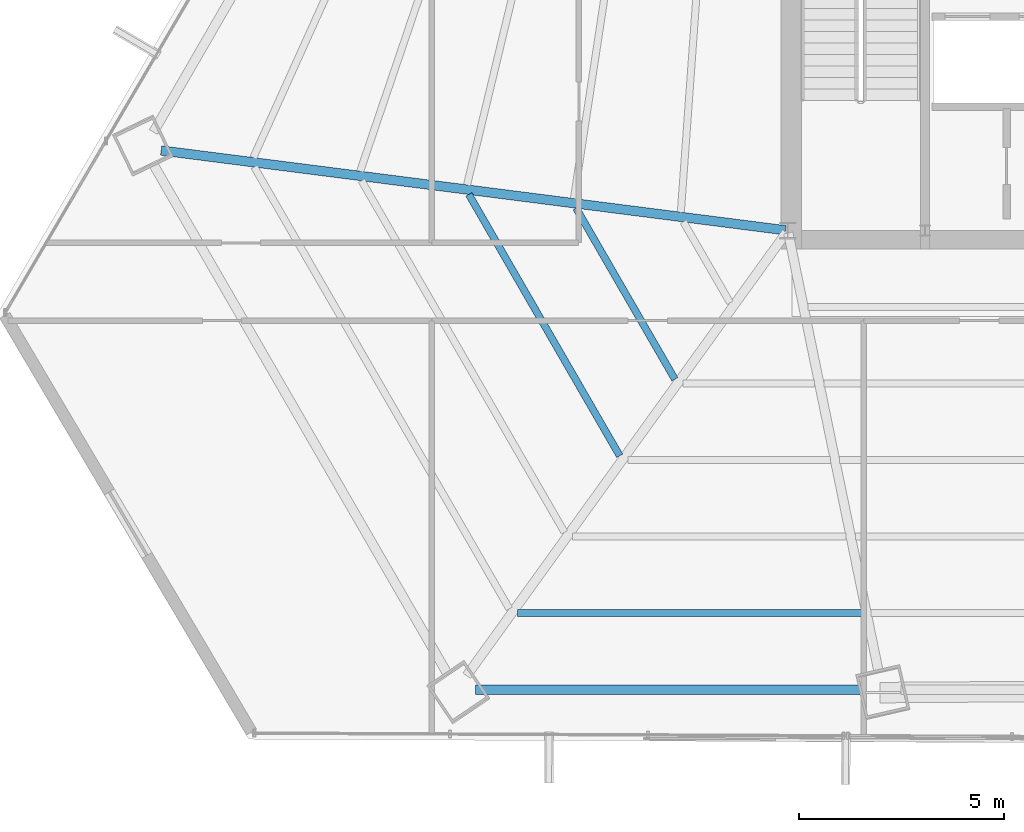
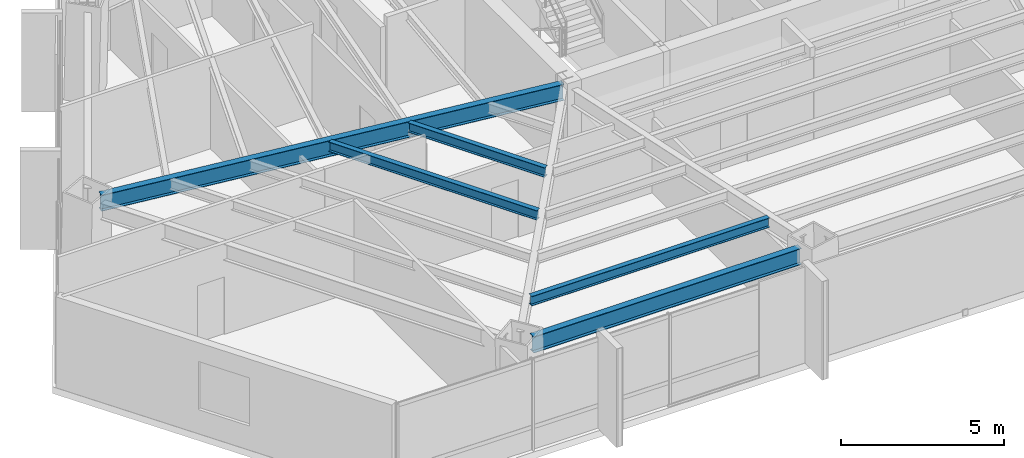
# One storey, part 8 of 35: 5 beams.
"""IFC4 building model written with IfcOpenShell, lengths in metres."""

from ifc_helpers import new_model, si_unit, direction, frame, origin, origin_2d, place, context, subcontext, project, spatial, i_section, extrude, source, transform, mapped, material, material_profile, profile_set, type_object, type_shapes, element, save


model = new_model("IFC4")

# Units and contexts
model_context = context("Model", 3, precision=1e-05, world=origin(), true_north=direction((0.0, 1.0)))
body_context = subcontext(model_context, "Body", "Model", "MODEL_VIEW")
ifc_project = project(units=[si_unit("LENGTHUNIT", "METRE"), si_unit("AREAUNIT", "SQUARE_METRE"), si_unit("VOLUMEUNIT", "CUBIC_METRE"), si_unit("PLANEANGLEUNIT", "RADIAN"), si_unit("MASSUNIT", "GRAM", prefix="KILO")], contexts=[model_context])

# Site, building, storey
site_placement = place(None, origin())
site = spatial("IfcSite", under=ifc_project, at=site_placement, CompositionType="ELEMENT")
building_placement = place(site_placement, origin())
building = spatial("IfcBuilding", under=site, at=building_placement, Name="Caelisora Broadcast Tower", CompositionType="ELEMENT")
storey_placement = place(building_placement, frame((0.0, 0.0, 94.449951171875)))
storey = spatial("IfcBuildingStorey", under=building, at=storey_placement, Name="L24", CompositionType="ELEMENT", Elevation=94.449951171875)

# Beams
ifc_material = material(Name="Steel Grade 350 (AS/NZS 3679.1)", Category="steel")
ifc_material_profile_1 = material_profile(ifc_material, i_section(OverallWidth=0.22900390625, OverallDepth=0.611572265625, WebThickness=0.011962890625, FlangeThickness=0.01953125, at=origin_2d()), Name="Steel Grade 350 (AS/NZS 3679.1)")
ifc_profile_set_1 = profile_set([ifc_material_profile_1], Name="Steel Grade 350 (AS/NZS 3679.1)")
beam_type_1 = type_object("IfcBeamType", Name="PG03", PredefinedType="BEAM", material=ifc_profile_set_1)
shared_shape_1 = source(origin(), body_context, "Body", "SweptSolid", [
    extrude(i_section(OverallWidth=0.22900390625, OverallDepth=0.611572265625, WebThickness=0.011962890625, FlangeThickness=0.01953125, at=origin_2d()), origin(), (0.0, 0.0, 1.0), 9.4677734375),
])
type_shapes(beam_type_1, [shared_shape_1])
beam_1_placement = place(storey_placement, frame((22.878173828125, 6.1962890625, 3.09423828125), z_axis=(1.0, 0.0, 0.0), x_axis=(0.0, 1.0, 0.0)))
element("IfcBeam", 1, at=beam_1_placement, inside=storey, type_object=beam_type_1, Name="L24 beam PG03", PredefinedType="BEAM", context=body_context, shape_type="MappedRepresentation", body=[
    mapped(shared_shape_1, transform((0.0, 0.0, 0.0), scale=1.0)),
])
ifc_material_profile_2 = material_profile(ifc_material, i_section(OverallWidth=0.22802734375, OverallDepth=0.602294921875, WebThickness=0.010498046875, FlangeThickness=0.014892578125, at=origin_2d()), Name="Steel Grade 350 (AS/NZS 3679.1)")
ifc_profile_set_2 = profile_set([ifc_material_profile_2], Name="Steel Grade 350 (AS/NZS 3679.1)")
beam_type_2 = type_object("IfcBeamType", Name="PG04", PredefinedType="BEAM", material=ifc_profile_set_2)
shared_shape_2 = source(origin(), body_context, "Body", "SweptSolid", [
    extrude(i_section(OverallWidth=0.22802734375, OverallDepth=0.602294921875, WebThickness=0.010498046875, FlangeThickness=0.014892578125, at=origin_2d()), origin(), (0.0, 0.0, 1.0), 15.35693359375),
])
type_shapes(beam_type_2, [shared_shape_2])
beam_2_placement = place(storey_placement, frame((30.4404296875, 17.40771484375, 3.098876953125), z_axis=(-0.991934434096, 0.126752035308, 0.0), x_axis=(-0.126752035308, -0.991934434096, 0.0)))
element("IfcBeam", 2, at=beam_2_placement, inside=storey, type_object=beam_type_2, Name="L24 beam PG04", PredefinedType="BEAM", context=body_context, shape_type="MappedRepresentation", body=[
    mapped(shared_shape_2, transform((0.0, 0.0, 0.0), scale=1.0)),
])
ifc_material_profile_3 = material_profile(ifc_material, i_section(OverallWidth=0.172119140625, OverallDepth=0.358642578125, WebThickness=0.008056640625, FlangeThickness=0.012939453125, at=origin_2d()), Name="Steel Grade 350 (AS/NZS 3679.1)")
ifc_profile_set_3 = profile_set([ifc_material_profile_3], Name="Steel Grade 350 (AS/NZS 3679.1)")
beam_type_3 = type_object("IfcBeamType", Name="SB02", PredefinedType="JOIST", material=ifc_profile_set_3)
shared_shape_3 = source(origin(), body_context, "Body", "SweptSolid", [
    extrude(i_section(OverallWidth=0.172119140625, OverallDepth=0.358642578125, WebThickness=0.008056640625, FlangeThickness=0.012939453125, at=origin_2d()), origin(), (0.0, 0.0, 1.0), 4.82275390625),
])
beam_3_placement = place(storey_placement, frame((25.333740234375, 17.94775390625, 3.220703125), z_axis=(0.499988291006, -0.866032163869, 0.0), x_axis=(0.866032163869, 0.499988291006, 0.0)))
element("IfcBeam", 3, at=beam_3_placement, inside=storey, type_object=beam_type_3, Name="L24 beam SB02", PredefinedType="JOIST", context=body_context, shape_type="MappedRepresentation", body=[
    mapped(shared_shape_3, transform((0.0, 0.0, 0.0), scale=1.0)),
])
shared_shape_4 = source(origin(), body_context, "Body", "SweptSolid", [
    extrude(i_section(OverallWidth=0.172119140625, OverallDepth=0.358642578125, WebThickness=0.008056640625, FlangeThickness=0.012939453125, at=origin_2d()), origin(), (0.0, 0.0, 1.0), 7.365234375),
])
beam_4_placement = place(storey_placement, frame((22.715576171875, 18.2822265625, 3.220703125), z_axis=(0.500003651254, -0.866023295722, 0.0), x_axis=(0.866023295722, 0.500003651254, 0.0)))
element("IfcBeam", 4, at=beam_4_placement, inside=storey, type_object=beam_type_3, Name="L24 beam SB02", PredefinedType="JOIST", context=body_context, shape_type="MappedRepresentation", body=[
    mapped(shared_shape_4, transform((0.0, 0.0, 0.0), scale=1.0)),
])
shared_shape_5 = source(origin(), body_context, "Body", "SweptSolid", [
    extrude(i_section(OverallWidth=0.172119140625, OverallDepth=0.358642578125, WebThickness=0.008056640625, FlangeThickness=0.012939453125, at=origin_2d()), origin(), (0.0, 0.0, 1.0), 8.40576171875),
])
type_shapes(beam_type_3, [shared_shape_3, shared_shape_4, shared_shape_5])
beam_5_placement = place(storey_placement, frame((23.902587890625, 8.063720703125, 3.220703125), z_axis=(1.0, 0.0, 0.0), x_axis=(0.0, 1.0, 0.0)))
element("IfcBeam", 5, at=beam_5_placement, inside=storey, type_object=beam_type_3, Name="L24 beam SB02", PredefinedType="JOIST", context=body_context, shape_type="MappedRepresentation", body=[
    mapped(shared_shape_5, transform((0.0, 0.0, 0.0), scale=1.0)),
])

save(model, "model.ifc")
